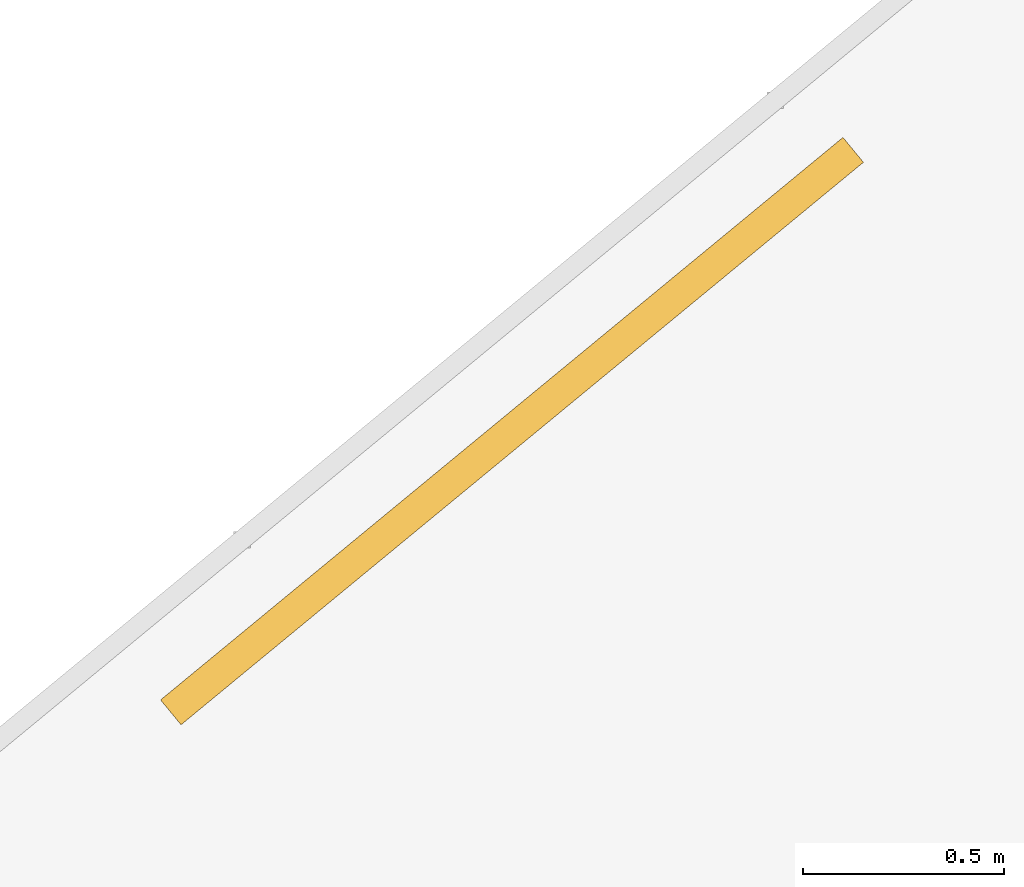
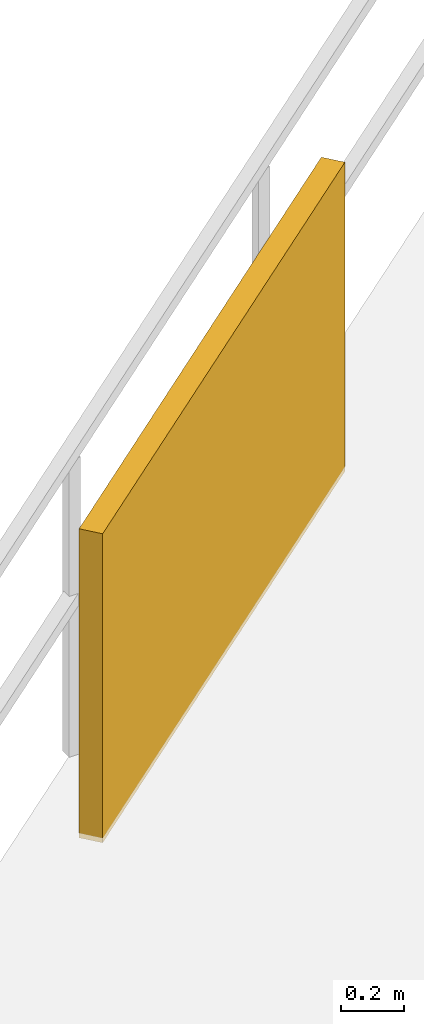
# One storey, part 29 of 30: 1 shading device.
"""IFC4 building model written with IfcOpenShell, lengths in metres."""

from ifc_helpers import new_model, si_unit, direction, frame, origin, origin_2d, place, context, subcontext, project, spatial, rectangle, extrude, material, type_object, element, save


model = new_model("IFC4")

# Units and contexts
model_context = context("Model", 3, precision=1e-05, world=origin(), true_north=direction((0.0, 1.0)))
body_context = subcontext(model_context, "Body", "Model", "MODEL_VIEW")
ifc_project = project(units=[si_unit("LENGTHUNIT", "METRE"), si_unit("AREAUNIT", "SQUARE_METRE"), si_unit("VOLUMEUNIT", "CUBIC_METRE"), si_unit("PLANEANGLEUNIT", "RADIAN"), si_unit("MASSUNIT", "GRAM", prefix="KILO")], contexts=[model_context])

# Site, building, storey
site_placement = place(None, origin())
site = spatial("IfcSite", under=ifc_project, at=site_placement, CompositionType="ELEMENT")
building_placement = place(site_placement, origin())
building = spatial("IfcBuilding", under=site, at=building_placement, Name="Vorneva Point Tower", CompositionType="ELEMENT")
storey_placement = place(building_placement, frame((0.0, 0.0, 234.25)))
storey = spatial("IfcBuildingStorey", under=building, at=storey_placement, Name="L63", CompositionType="ELEMENT", Elevation=234.25)

# Shading device
ifc_material = material(Name="Pale anodised aluminium", Category="aluminium")
shading_device_type = type_object("IfcShadingDeviceType", Name="SHD-JAL-1200", PredefinedType="JALOUSIE", material=ifc_material)
shading_device_placement = place(storey_placement, frame((20.1884765625, 43.031982421875, -0.02001953125), z_axis=(0.0, 0.0, 1.0), x_axis=(-0.771657887308, -0.636037817237, 0.0)))
element("IfcShadingDevice", 1, at=shading_device_placement, inside=storey, type_object=shading_device_type, Name="L63 Balcony Vertical-Greenery Planter Screen NW.2", PredefinedType="JALOUSIE", context=body_context, shape_type="SweptSolid", body=[
    extrude(rectangle(XDim=2.199951171875, YDim=0.080078125, at=origin_2d()), origin(), (0.0, 0.0, 1.0), 1.199951171875),
])

save(model, "model.ifc")
